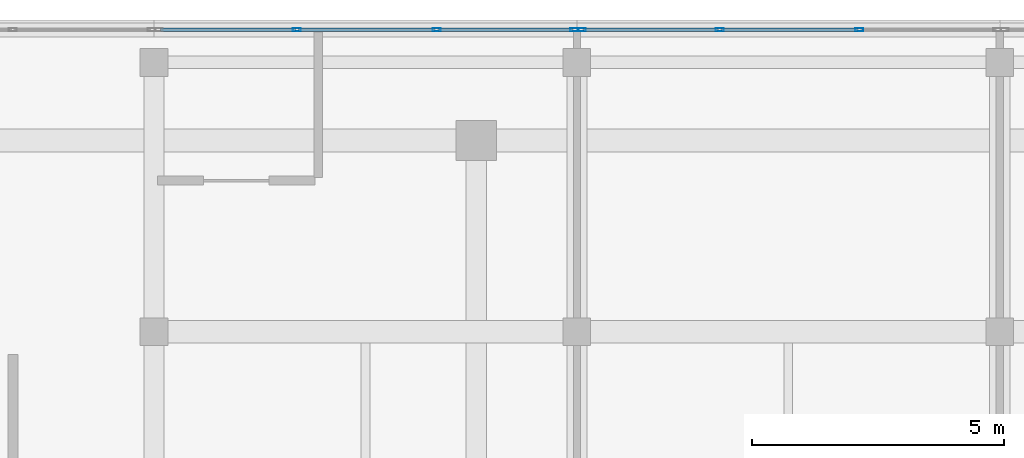
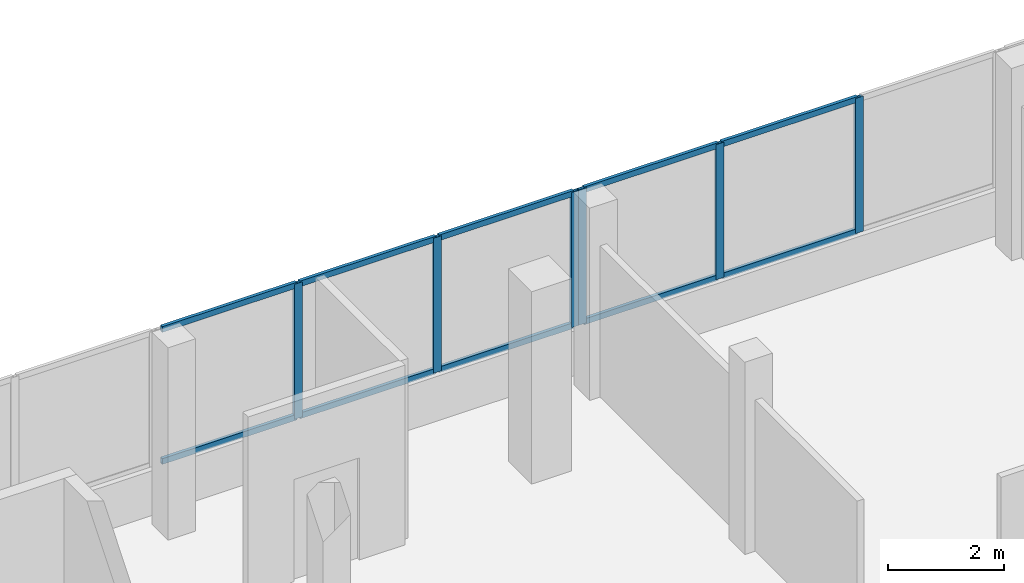
# One storey, part 21 of 66: 16 members, 2 elements without a shape of their own.
"""IFC4 building model written with IfcOpenShell, lengths in metres."""

from ifc_helpers import new_model, si_unit, direction, frame, origin, origin_2d, place, context, subcontext, project, spatial, hollow_rectangle, extrude, material, material_profile, profile_set, type_object, element, aggregate, save


model = new_model("IFC4")

# Units and contexts
model_context = context("Model", 3, precision=1e-05, world=origin(), true_north=direction((0.0, 1.0)))
body_context = subcontext(model_context, "Body", "Model", "MODEL_VIEW")
ifc_project = project(units=[si_unit("LENGTHUNIT", "METRE"), si_unit("AREAUNIT", "SQUARE_METRE"), si_unit("VOLUMEUNIT", "CUBIC_METRE"), si_unit("PLANEANGLEUNIT", "RADIAN"), si_unit("MASSUNIT", "GRAM", prefix="KILO")], contexts=[model_context])

# Site, building, storey
site_placement = place(None, origin())
site = spatial("IfcSite", under=ifc_project, at=site_placement, CompositionType="ELEMENT")
building_placement = place(site_placement, origin())
building = spatial("IfcBuilding", under=site, at=building_placement, Name="Selatvlak General Hospital", CompositionType="ELEMENT")
storey_placement = place(building_placement, frame((0.0, 0.0, 31.35009765625)))
storey = spatial("IfcBuildingStorey", under=building, at=storey_placement, Name="L07", CompositionType="ELEMENT", Elevation=31.35009765625)

# Curtain wall, members
ifc_material_1 = material(Name="Solar-control Low-E double glazing", Category="glass")
curtain_wall_type_1 = type_object("IfcCurtainWallType", Name="CW-CW-02", PredefinedType="USERDEFINED", material=ifc_material_1)
curtain_wall_1_placement = place(storey_placement, origin())
curtain_wall_1 = element("IfcCurtainWall", 1, at=curtain_wall_1_placement, inside=storey, type_object=curtain_wall_type_1, Name="Glazed facade curtain wall CW-L07-0648", ObjectType="UNITISED CURTAIN WALL", PredefinedType="USERDEFINED")
ifc_material_2 = material(Name="Dark anodised aluminium mullion", Category="aluminium")
ifc_material_profile_1 = material_profile(ifc_material_2, hollow_rectangle(XDim=0.06494140625, YDim=0.159912109375, WallThickness=0.00390625, at=origin_2d()), Name="AL-MUL 65x160x4")
ifc_profile_set_1 = profile_set([ifc_material_profile_1], Name="Dark anodised aluminium mullion")
member_type_1 = type_object("IfcMemberType", Name="CWM-01", PredefinedType="MULLION", material=ifc_profile_set_1)
member_1_placement = place(storey_placement, frame((67.638427734375, 119.9990234375, 0.93994140625), z_axis=(0.0, 0.0, 1.0), x_axis=(0.0, 1.0, 0.0)))
member_1 = element("IfcMember", 2, at=member_1_placement, type_object=member_type_1, Name="CW-02 mullion 2", PredefinedType="MULLION", context=body_context, shape_type="SweptSolid", body=[
    extrude(hollow_rectangle(XDim=0.06494140625, YDim=0.159912109375, WallThickness=0.00390625, at=origin_2d()), origin(), (0.0, 0.0, 1.0), 2.844970703125),
])
member_2_placement = place(storey_placement, frame((70.41162109375, 119.9990234375, 0.93994140625), z_axis=(0.0, 0.0, 1.0), x_axis=(0.0, 1.0, 0.0)))
member_2 = element("IfcMember", 3, at=member_2_placement, type_object=member_type_1, Name="CW-02 mullion 3", PredefinedType="MULLION", context=body_context, shape_type="SweptSolid", body=[
    extrude(hollow_rectangle(XDim=0.06494140625, YDim=0.159912109375, WallThickness=0.00390625, at=origin_2d()), origin(), (0.0, 0.0, 1.0), 2.844970703125),
])
member_3_placement = place(storey_placement, frame((73.152587890625, 119.9990234375, 0.93994140625), z_axis=(0.0, 0.0, 1.0), x_axis=(0.0, 1.0, 0.0)))
member_3 = element("IfcMember", 4, at=member_3_placement, type_object=member_type_1, Name="CW-02 mullion 4", PredefinedType="MULLION", context=body_context, shape_type="SweptSolid", body=[
    extrude(hollow_rectangle(XDim=0.06494140625, YDim=0.159912109375, WallThickness=0.00390625, at=origin_2d()), origin(), (0.0, 0.0, 1.0), 2.844970703125),
])

curtain_wall_type_2 = type_object("IfcCurtainWallType", Name="CW-CW-01", PredefinedType="USERDEFINED", material=ifc_material_1)
curtain_wall_2_placement = place(storey_placement, origin())
curtain_wall_2 = element("IfcCurtainWall", 5, at=curtain_wall_2_placement, inside=storey, type_object=curtain_wall_type_2, Name="Glazed facade curtain wall CW-L07-0649", ObjectType="UNITISED CURTAIN WALL", PredefinedType="USERDEFINED")
member_4_placement = place(storey_placement, frame((73.297607421875, 119.9990234375, 0.93994140625), z_axis=(0.0, 0.0, 1.0), x_axis=(0.0, 1.0, 0.0)))
member_4 = element("IfcMember", 6, at=member_4_placement, type_object=member_type_1, Name="CW-01 mullion 1", PredefinedType="MULLION", context=body_context, shape_type="SweptSolid", body=[
    extrude(hollow_rectangle(XDim=0.06494140625, YDim=0.159912109375, WallThickness=0.00390625, at=origin_2d()), origin(), (0.0, 0.0, 1.0), 2.844970703125),
])
member_5_placement = place(storey_placement, frame((76.038330078125, 119.9990234375, 0.93994140625), z_axis=(0.0, 0.0, 1.0), x_axis=(0.0, 1.0, 0.0)))
member_5 = element("IfcMember", 7, at=member_5_placement, type_object=member_type_1, Name="CW-01 mullion 2", PredefinedType="MULLION", context=body_context, shape_type="SweptSolid", body=[
    extrude(hollow_rectangle(XDim=0.06494140625, YDim=0.159912109375, WallThickness=0.00390625, at=origin_2d()), origin(), (0.0, 0.0, 1.0), 2.844970703125),
])
member_6_placement = place(storey_placement, frame((78.811767578125, 119.9990234375, 0.93994140625), z_axis=(0.0, 0.0, 1.0), x_axis=(0.0, 1.0, 0.0)))
member_6 = element("IfcMember", 8, at=member_6_placement, type_object=member_type_1, Name="CW-01 mullion 3", PredefinedType="MULLION", context=body_context, shape_type="SweptSolid", body=[
    extrude(hollow_rectangle(XDim=0.06494140625, YDim=0.159912109375, WallThickness=0.00390625, at=origin_2d()), origin(), (0.0, 0.0, 1.0), 2.844970703125),
])

# Member
ifc_material_profile_2 = material_profile(ifc_material_2, hollow_rectangle(XDim=0.06494140625, YDim=0.1201171875, WallThickness=0.00390625, at=origin_2d()), Name="AL-TRN 65x120x4")
ifc_profile_set_2 = profile_set([ifc_material_profile_2], Name="Dark anodised aluminium mullion")
member_type_2 = type_object("IfcMemberType", Name="CWT-01", PredefinedType="USERDEFINED", material=ifc_profile_set_2)
member_7_placement = place(storey_placement, frame((64.929931640625, 119.9990234375, 0.972412109375), z_axis=(1.0, 0.0, 0.0), x_axis=(0.0, 1.0, 0.0)))
member_7 = element("IfcMember", 9, at=member_7_placement, type_object=member_type_2, Name="CW-02 transom 1.1", ObjectType="TRANSOM", PredefinedType="USERDEFINED", context=body_context, shape_type="SweptSolid", body=[
    extrude(hollow_rectangle(XDim=0.06494140625, YDim=0.1201171875, WallThickness=0.00390625, at=origin_2d()), origin(), (0.0, 0.0, 1.0), 2.67578125),
])

member_8_placement = place(storey_placement, frame((64.929931640625, 119.9990234375, 3.75244140625), z_axis=(1.0, 0.0, 0.0), x_axis=(0.0, 1.0, 0.0)))
member_8 = element("IfcMember", 10, at=member_8_placement, type_object=member_type_2, Name="CW-02 transom 1.2", ObjectType="TRANSOM", PredefinedType="USERDEFINED", context=body_context, shape_type="SweptSolid", body=[
    extrude(hollow_rectangle(XDim=0.06494140625, YDim=0.1201171875, WallThickness=0.00390625, at=origin_2d()), origin(), (0.0, 0.0, 1.0), 2.67578125),
])

member_9_placement = place(storey_placement, frame((67.6708984375, 119.9990234375, 0.972412109375), z_axis=(1.0, 0.0, 0.0), x_axis=(0.0, 1.0, 0.0)))
member_9 = element("IfcMember", 11, at=member_9_placement, type_object=member_type_2, Name="CW-02 transom 2.1", ObjectType="TRANSOM", PredefinedType="USERDEFINED", context=body_context, shape_type="SweptSolid", body=[
    extrude(hollow_rectangle(XDim=0.06494140625, YDim=0.1201171875, WallThickness=0.00390625, at=origin_2d()), origin(), (0.0, 0.0, 1.0), 2.708251953125),
])

member_10_placement = place(storey_placement, frame((67.6708984375, 119.9990234375, 3.75244140625), z_axis=(1.0, 0.0, 0.0), x_axis=(0.0, 1.0, 0.0)))
member_10 = element("IfcMember", 12, at=member_10_placement, type_object=member_type_2, Name="CW-02 transom 2.2", ObjectType="TRANSOM", PredefinedType="USERDEFINED", context=body_context, shape_type="SweptSolid", body=[
    extrude(hollow_rectangle(XDim=0.06494140625, YDim=0.1201171875, WallThickness=0.00390625, at=origin_2d()), origin(), (0.0, 0.0, 1.0), 2.708251953125),
])

member_11_placement = place(storey_placement, frame((70.444091796875, 119.9990234375, 0.972412109375), z_axis=(1.0, 0.0, 0.0), x_axis=(0.0, 1.0, 0.0)))
member_11 = element("IfcMember", 13, at=member_11_placement, type_object=member_type_2, Name="CW-02 transom 3.1", ObjectType="TRANSOM", PredefinedType="USERDEFINED", context=body_context, shape_type="SweptSolid", body=[
    extrude(hollow_rectangle(XDim=0.06494140625, YDim=0.1201171875, WallThickness=0.00390625, at=origin_2d()), origin(), (0.0, 0.0, 1.0), 2.676025390625),
])

member_12_placement = place(storey_placement, frame((70.444091796875, 119.9990234375, 3.75244140625), z_axis=(1.0, 0.0, 0.0), x_axis=(0.0, 1.0, 0.0)))
member_12 = element("IfcMember", 14, at=member_12_placement, type_object=member_type_2, Name="CW-02 transom 3.2", ObjectType="TRANSOM", PredefinedType="USERDEFINED", context=body_context, shape_type="SweptSolid", body=[
    extrude(hollow_rectangle(XDim=0.06494140625, YDim=0.1201171875, WallThickness=0.00390625, at=origin_2d()), origin(), (0.0, 0.0, 1.0), 2.676025390625),
])

aggregate(curtain_wall_1, [member_1, member_2, member_3, member_7, member_8, member_9, member_10, member_11, member_12])

member_13_placement = place(storey_placement, frame((73.330078125, 119.9990234375, 0.972412109375), z_axis=(1.0, 0.0, 0.0), x_axis=(0.0, 1.0, 0.0)))
member_13 = element("IfcMember", 15, at=member_13_placement, type_object=member_type_2, Name="CW-01 transom 1.1", ObjectType="TRANSOM", PredefinedType="USERDEFINED", context=body_context, shape_type="SweptSolid", body=[
    extrude(hollow_rectangle(XDim=0.06494140625, YDim=0.1201171875, WallThickness=0.00390625, at=origin_2d()), origin(), (0.0, 0.0, 1.0), 2.67578125),
])

member_14_placement = place(storey_placement, frame((73.330078125, 119.9990234375, 3.75244140625), z_axis=(1.0, 0.0, 0.0), x_axis=(0.0, 1.0, 0.0)))
member_14 = element("IfcMember", 16, at=member_14_placement, type_object=member_type_2, Name="CW-01 transom 1.2", ObjectType="TRANSOM", PredefinedType="USERDEFINED", context=body_context, shape_type="SweptSolid", body=[
    extrude(hollow_rectangle(XDim=0.06494140625, YDim=0.1201171875, WallThickness=0.00390625, at=origin_2d()), origin(), (0.0, 0.0, 1.0), 2.67578125),
])

member_15_placement = place(storey_placement, frame((76.07080078125, 119.9990234375, 0.972412109375), z_axis=(1.0, 0.0, 0.0), x_axis=(0.0, 1.0, 0.0)))
member_15 = element("IfcMember", 17, at=member_15_placement, type_object=member_type_2, Name="CW-01 transom 2.1", ObjectType="TRANSOM", PredefinedType="USERDEFINED", context=body_context, shape_type="SweptSolid", body=[
    extrude(hollow_rectangle(XDim=0.06494140625, YDim=0.1201171875, WallThickness=0.00390625, at=origin_2d()), origin(), (0.0, 0.0, 1.0), 2.708251953125),
])

member_16_placement = place(storey_placement, frame((76.07080078125, 119.9990234375, 3.75244140625), z_axis=(1.0, 0.0, 0.0), x_axis=(0.0, 1.0, 0.0)))
member_16 = element("IfcMember", 18, at=member_16_placement, type_object=member_type_2, Name="CW-01 transom 2.2", ObjectType="TRANSOM", PredefinedType="USERDEFINED", context=body_context, shape_type="SweptSolid", body=[
    extrude(hollow_rectangle(XDim=0.06494140625, YDim=0.1201171875, WallThickness=0.00390625, at=origin_2d()), origin(), (0.0, 0.0, 1.0), 2.708251953125),
])

aggregate(curtain_wall_2, [member_4, member_5, member_6, member_13, member_14, member_15, member_16])

save(model, "model.ifc")
